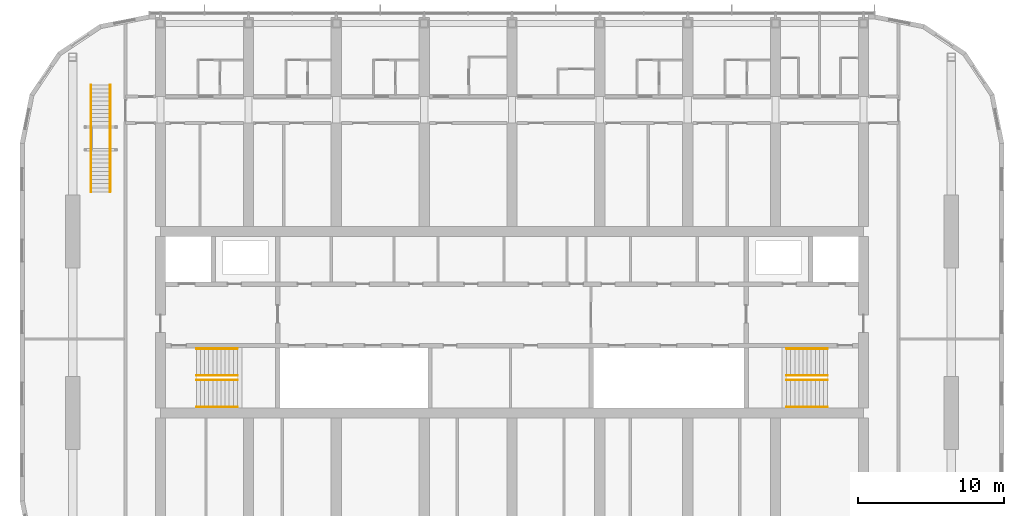
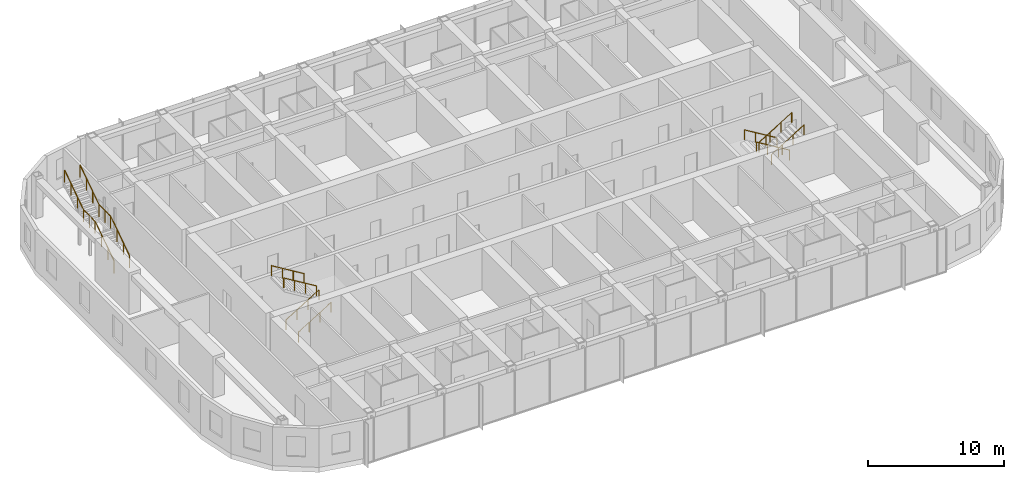
# One storey, part 27 of 27: 10 railings.
"""IFC4 building model written with IfcOpenShell, lengths in metres."""

from ifc_helpers import new_model, si_unit, direction, frame, origin, origin_2d, place, context, subcontext, project, spatial, circle, extrude, material, type_object, element, save


model = new_model("IFC4")

# Units and contexts
model_context = context("Model", 3, precision=1e-05, world=origin(), true_north=direction((0.0, 1.0)))
body_context = subcontext(model_context, "Body", "Model", "MODEL_VIEW")
ifc_project = project(units=[si_unit("LENGTHUNIT", "METRE"), si_unit("AREAUNIT", "SQUARE_METRE"), si_unit("VOLUMEUNIT", "CUBIC_METRE"), si_unit("PLANEANGLEUNIT", "RADIAN"), si_unit("MASSUNIT", "GRAM", prefix="KILO")], contexts=[model_context])

# Site, building, storey
site_placement = place(None, origin())
site = spatial("IfcSite", under=ifc_project, at=site_placement, CompositionType="ELEMENT")
building_placement = place(site_placement, origin())
building = spatial("IfcBuilding", under=site, at=building_placement, Name="Orbita Commons", CompositionType="ELEMENT")
storey_placement = place(building_placement, frame((0.0, 0.0, 246.550048828125)))
storey = spatial("IfcBuildingStorey", under=building, at=storey_placement, Name="L61", CompositionType="ELEMENT", Elevation=246.550048828125)

# Railings
ifc_material_1 = material(Name="Laminated glass, steel handrail", Category="steel")
railing_type_1 = type_object("IfcRailingType", Name="Feature stair balustrade, glass on steel stringer 1100", PredefinedType="BALUSTRADE", material=ifc_material_1)
for number, where, name in (
    (1, (13.239990234375, 40.89990234375, 0.0), "Neighbourhood stair L61 to L62 balustrade L"),
    (2, (14.56005859375, 40.89990234375, 0.0), "Neighbourhood stair L61 to L62 balustrade R"),
):
    element("IfcRailing", number, at=place(storey_placement, frame(where)), inside=storey, type_object=railing_type_1, Name=name, PredefinedType="BALUSTRADE", context=body_context, shape_type="SweptSolid", body=[
        extrude(circle(Radius=0.02490234375, at=origin_2d()), frame((0.0, 0.0, 1.0751953125), z_axis=(0.0, 0.830911662861, 0.55640435703), x_axis=(-1.0, 0.0, 0.0)), (0.0, 0.0, 1.0), 3.369873046875),
        extrude(circle(Radius=0.02490234375, at=origin_2d()), frame((0.0, 2.800048828125, 2.9501953125), z_axis=(0.0, 1.0, 0.0), x_axis=(-1.0, 0.0, 0.0)), (0.0, 0.0, 1.0), 1.7099609375),
        extrude(circle(Radius=0.02490234375, at=origin_2d()), frame((0.0, 4.510009765625, 2.9501953125), z_axis=(0.0, 0.830911662861, 0.55640435703), x_axis=(-1.0, 0.0, 0.0)), (0.0, 0.0, 1.0), 3.369873046875),
        extrude(circle(Radius=0.02001953125, at=origin_2d()), origin(), (0.0, 0.0, 1.0), 1.050048828125),
        extrude(circle(Radius=0.02001953125, at=origin_2d()), frame((0.0, 0.933349609375, 0.625)), (0.0, 0.0, 1.0), 1.050048828125),
        extrude(circle(Radius=0.02001953125, at=origin_2d()), frame((0.0, 1.86669921875, 1.25)), (0.0, 0.0, 1.0), 1.050048828125),
        extrude(circle(Radius=0.02001953125, at=origin_2d()), frame((0.0, 2.800048828125, 1.875)), (0.0, 0.0, 1.0), 1.050048828125),
        extrude(circle(Radius=0.02001953125, at=origin_2d()), frame((0.0, 3.655029296875, 1.875)), (0.0, 0.0, 1.0), 1.050048828125),
        extrude(circle(Radius=0.02001953125, at=origin_2d()), frame((0.0, 4.510009765625, 1.875)), (0.0, 0.0, 1.0), 1.050048828125),
        extrude(circle(Radius=0.02001953125, at=origin_2d()), frame((0.0, 5.443359375, 2.5)), (0.0, 0.0, 1.0), 1.050048828125),
        extrude(circle(Radius=0.02001953125, at=origin_2d()), frame((0.0, 6.376708984375, 3.125)), (0.0, 0.0, 1.0), 1.050048828125),
        extrude(circle(Radius=0.02001953125, at=origin_2d()), frame((0.0, 7.31005859375, 3.75)), (0.0, 0.0, 1.0), 1.050048828125),
    ])
ifc_material_2 = material(Name="Steel tube, painted", Category="steel")
railing_type_2 = type_object("IfcRailingType", Name="Stair handrail steel tube 900", PredefinedType="HANDRAIL", material=ifc_material_2)
for number, where, name in (
    (3, (20.449951171875, 28.0400390625, 0.17041015625), "Stair S1 handrail L61 flight 1"),
    (4, (20.449951171875, 26.2099609375, 0.17041015625), "Stair S1 handrail L61 flight 1"),
):
    element("IfcRailing", number, at=place(storey_placement, frame(where)), inside=storey, type_object=railing_type_2, Name=name, PredefinedType="HANDRAIL", context=body_context, shape_type="SweptSolid", body=[
        extrude(circle(Radius=0.02099609375, at=origin_2d()), frame((0.0, 0.0, 0.87890625), z_axis=(0.854169791009, 0.0, 0.51999420009), x_axis=(0.0, 1.0, 0.0)), (0.0, 0.0, 1.0), 3.278076171875),
        extrude(circle(Radius=0.02001953125, at=origin_2d()), origin(), (0.0, 0.0, 1.0), 0.85791015625),
        extrude(circle(Radius=0.02001953125, at=origin_2d()), frame((0.933349609375, 0.0, 0.568115234375)), (0.0, 0.0, 1.0), 0.85791015625),
        extrude(circle(Radius=0.02001953125, at=origin_2d()), frame((1.86669921875, 0.0, 1.136474609375)), (0.0, 0.0, 1.0), 0.85791015625),
        extrude(circle(Radius=0.02001953125, at=origin_2d()), frame((2.800048828125, 0.0, 1.70458984375)), (0.0, 0.0, 1.0), 0.85791015625),
    ])
for number, where, name in (
    (5, (23.25, 28.360107421875, 2.04541015625), "Stair S1 handrail L61 flight 2"),
    (6, (23.25, 30.18994140625, 2.04541015625), "Stair S1 handrail L61 flight 2"),
    (7, (63.550048828125, 28.360107421875, 0.17041015625), "Stair S2 handrail L61 flight 1"),
    (8, (63.550048828125, 30.18994140625, 0.17041015625), "Stair S2 handrail L61 flight 1"),
):
    element("IfcRailing", number, at=place(storey_placement, frame(where)), inside=storey, type_object=railing_type_2, Name=name, PredefinedType="HANDRAIL", context=body_context, shape_type="SweptSolid", body=[
        extrude(circle(Radius=0.02099609375, at=origin_2d()), frame((0.0, 0.0, 0.87890625), z_axis=(-0.854169791009, 0.0, 0.51999420009), x_axis=(0.0, -1.0, 0.0)), (0.0, 0.0, 1.0), 3.278076171875),
        extrude(circle(Radius=0.02001953125, at=origin_2d()), origin(), (0.0, 0.0, 1.0), 0.85791015625),
        extrude(circle(Radius=0.02001953125, at=origin_2d()), frame((-0.933349609375, 0.0, 0.568115234375)), (0.0, 0.0, 1.0), 0.85791015625),
        extrude(circle(Radius=0.02001953125, at=origin_2d()), frame((-1.86669921875, 0.0, 1.136474609375)), (0.0, 0.0, 1.0), 0.85791015625),
        extrude(circle(Radius=0.02001953125, at=origin_2d()), frame((-2.800048828125, 0.0, 1.70458984375)), (0.0, 0.0, 1.0), 0.85791015625),
    ])
for number, where, name in (
    (9, (60.75, 28.0400390625, 2.04541015625), "Stair S2 handrail L61 flight 2"),
    (10, (60.75, 26.2099609375, 2.04541015625), "Stair S2 handrail L61 flight 2"),
):
    element("IfcRailing", number, at=place(storey_placement, frame(where)), inside=storey, type_object=railing_type_2, Name=name, PredefinedType="HANDRAIL", context=body_context, shape_type="SweptSolid", body=[
        extrude(circle(Radius=0.02099609375, at=origin_2d()), frame((0.0, 0.0, 0.87890625), z_axis=(0.854169791009, 0.0, 0.51999420009), x_axis=(0.0, 1.0, 0.0)), (0.0, 0.0, 1.0), 3.278076171875),
        extrude(circle(Radius=0.02001953125, at=origin_2d()), origin(), (0.0, 0.0, 1.0), 0.85791015625),
        extrude(circle(Radius=0.02001953125, at=origin_2d()), frame((0.933349609375, 0.0, 0.568115234375)), (0.0, 0.0, 1.0), 0.85791015625),
        extrude(circle(Radius=0.02001953125, at=origin_2d()), frame((1.86669921875, 0.0, 1.136474609375)), (0.0, 0.0, 1.0), 0.85791015625),
        extrude(circle(Radius=0.02001953125, at=origin_2d()), frame((2.800048828125, 0.0, 1.70458984375)), (0.0, 0.0, 1.0), 0.85791015625),
    ])

save(model, "model.ifc")
